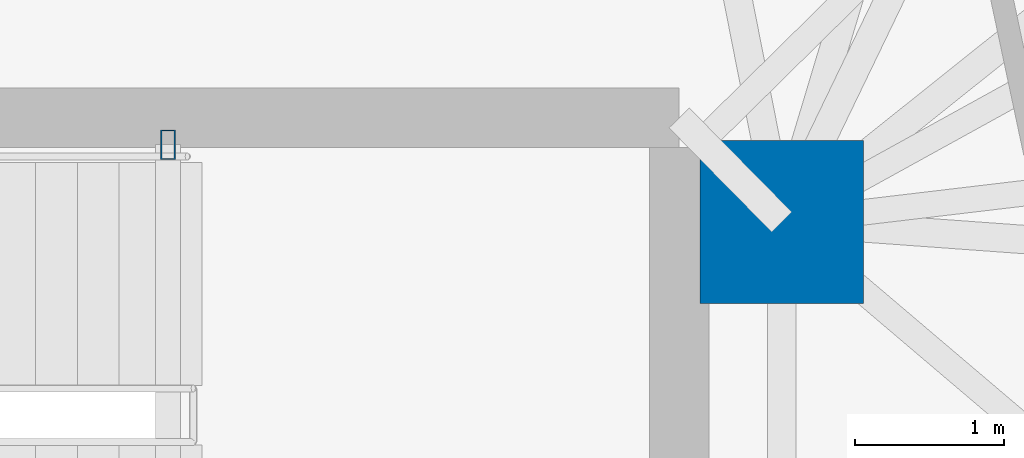
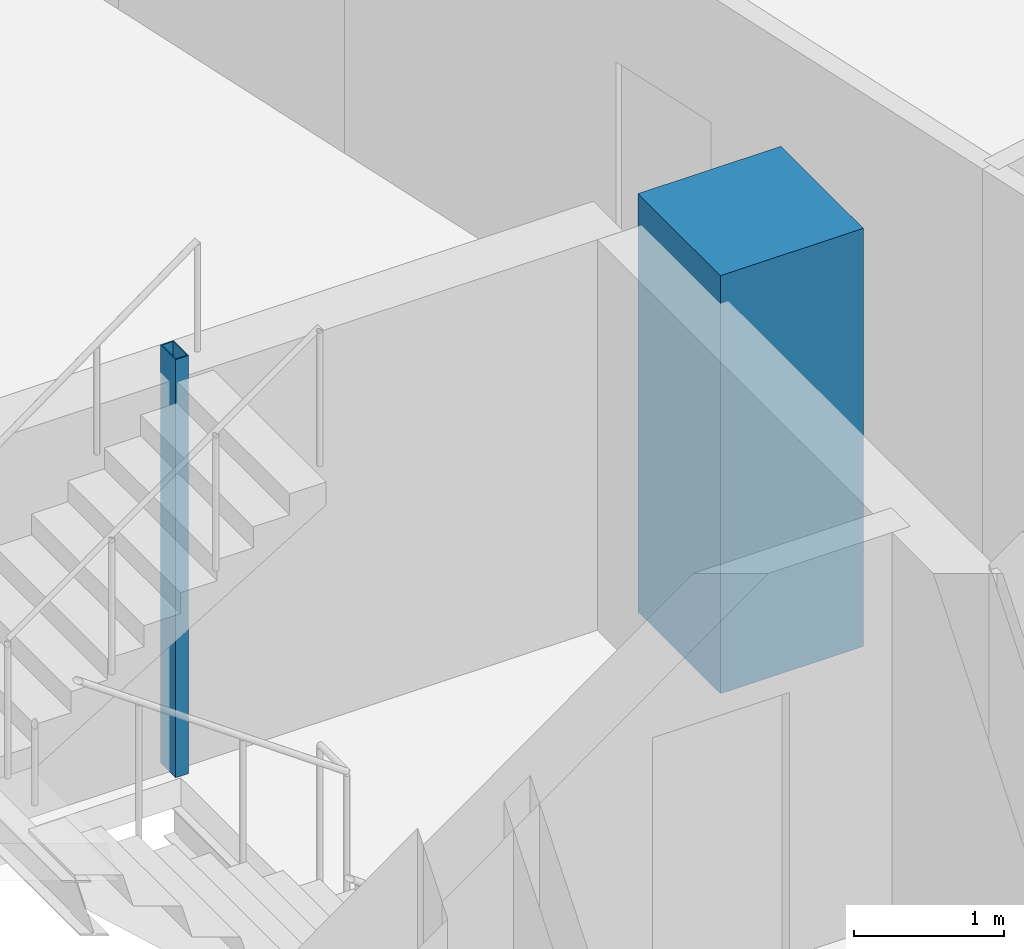
# One storey, part 4 of 21: 2 columns.
"""IFC4 building model written with IfcOpenShell, lengths in metres."""

from ifc_helpers import new_model, si_unit, direction, frame, origin, origin_2d, place, context, subcontext, project, spatial, rectangle, hollow_rectangle, extrude, material, material_profile, profile_set, type_object, element, save


model = new_model("IFC4")

# Units and contexts
model_context = context("Model", 3, precision=1e-05, world=origin(), true_north=direction((0.0, 1.0)))
body_context = subcontext(model_context, "Body", "Model", "MODEL_VIEW")
ifc_project = project(units=[si_unit("LENGTHUNIT", "METRE"), si_unit("AREAUNIT", "SQUARE_METRE"), si_unit("VOLUMEUNIT", "CUBIC_METRE"), si_unit("PLANEANGLEUNIT", "RADIAN"), si_unit("MASSUNIT", "GRAM", prefix="KILO")], contexts=[model_context])

# Site, building, storey
site_placement = place(None, origin())
site = spatial("IfcSite", under=ifc_project, at=site_placement, CompositionType="ELEMENT")
building_placement = place(site_placement, origin())
building = spatial("IfcBuilding", under=site, at=building_placement, Name="Menara Jurai Vektor", CompositionType="ELEMENT")
storey_placement = place(building_placement, frame((0.0, 0.0, 165.0)))
storey = spatial("IfcBuildingStorey", under=building, at=storey_placement, Name="L42", CompositionType="ELEMENT", Elevation=165.0)

# Columns
ifc_material_1 = material(Name="Concrete C50/60", Category="concrete")
ifc_material_profile_1 = material_profile(ifc_material_1, rectangle(XDim=1.10009765625, YDim=1.10009765625, at=origin_2d()), Name="RC 1100x1100")
ifc_profile_set_1 = profile_set([ifc_material_profile_1], Name="Concrete C50/60")
column_type_1 = type_object("IfcColumnType", Name="STR-COL-RC1100", PredefinedType="COLUMN", material=ifc_profile_set_1)
column_1_placement = place(storey_placement, frame((15.25, 4.89990234375, 0.0), z_axis=(0.0, 0.0, 1.0), x_axis=(1.0, 0.0, 0.0)))
element("IfcColumn", 1, at=column_1_placement, inside=storey, type_object=column_type_1, Name="Core Spine Column CE-NE L42", PredefinedType="COLUMN", context=body_context, shape_type="SweptSolid", body=[
    extrude(rectangle(XDim=1.10009765625, YDim=1.10009765625, at=origin_2d()), origin(), (0.0, 0.0, 1.0), 3.39990234375),
])
ifc_material_2 = material(Name="Steel S355", Category="steel")
ifc_material_profile_2 = material_profile(ifc_material_2, hollow_rectangle(XDim=0.10009765625, YDim=0.199951171875, WallThickness=0.008056640625, at=origin_2d()), Name="RHS 200x100x8")
ifc_profile_set_2 = profile_set([ifc_material_profile_2], Name="Steel S355")
column_type_2 = type_object("IfcColumnType", Name="STR-COL-STAIR", PredefinedType="COLUMN", material=ifc_profile_set_2)
column_2_placement = place(storey_placement, frame((11.1201171875, 5.419921875, 0.0), z_axis=(0.0, 0.0, 1.0), x_axis=(1.0, 0.0, 0.0)))
element("IfcColumn", 2, at=column_2_placement, inside=storey, type_object=column_type_2, Name="Stair Well Header Column ST2-P2 L42", PredefinedType="COLUMN", context=body_context, shape_type="SweptSolid", body=[
    extrude(hollow_rectangle(XDim=0.10009765625, YDim=0.199951171875, WallThickness=0.008056640625, at=origin_2d()), origin(), (0.0, 0.0, 1.0), 3.39990234375),
])

save(model, "model.ifc")
